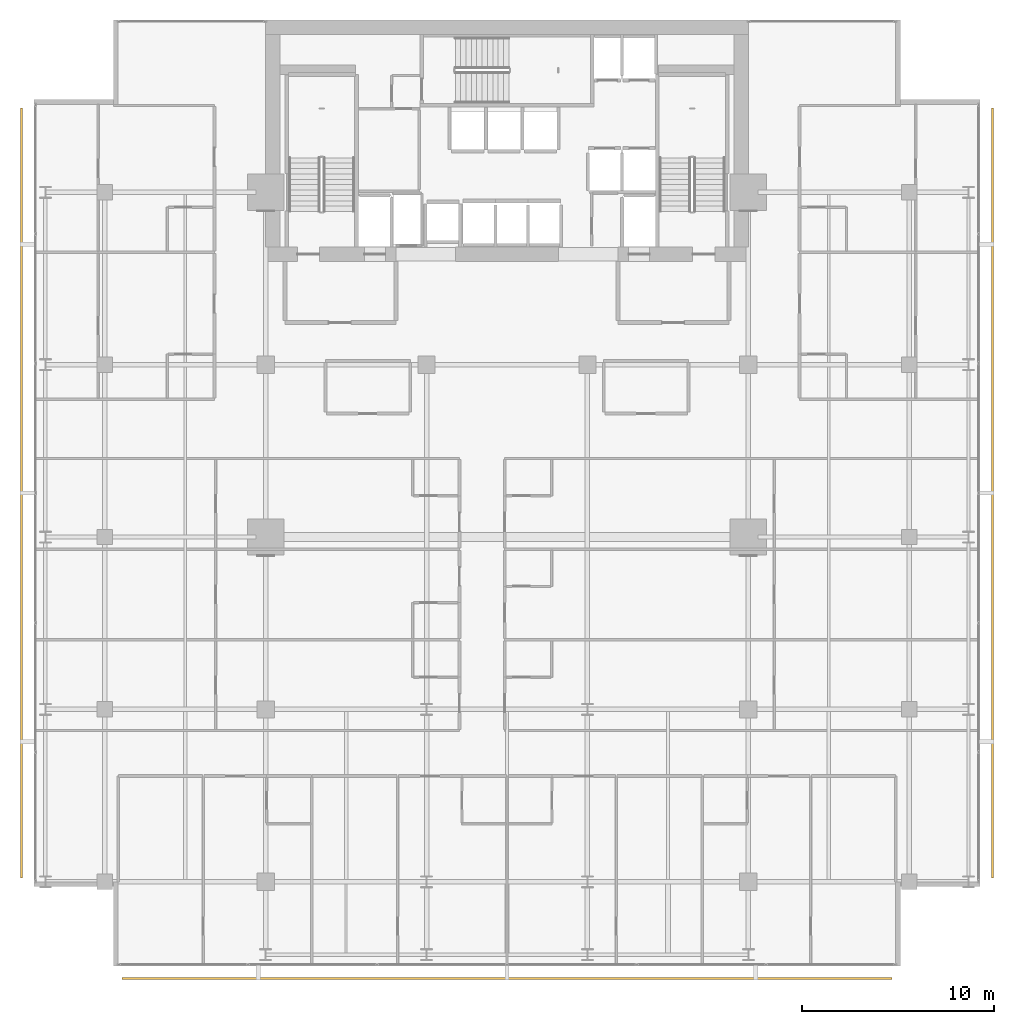
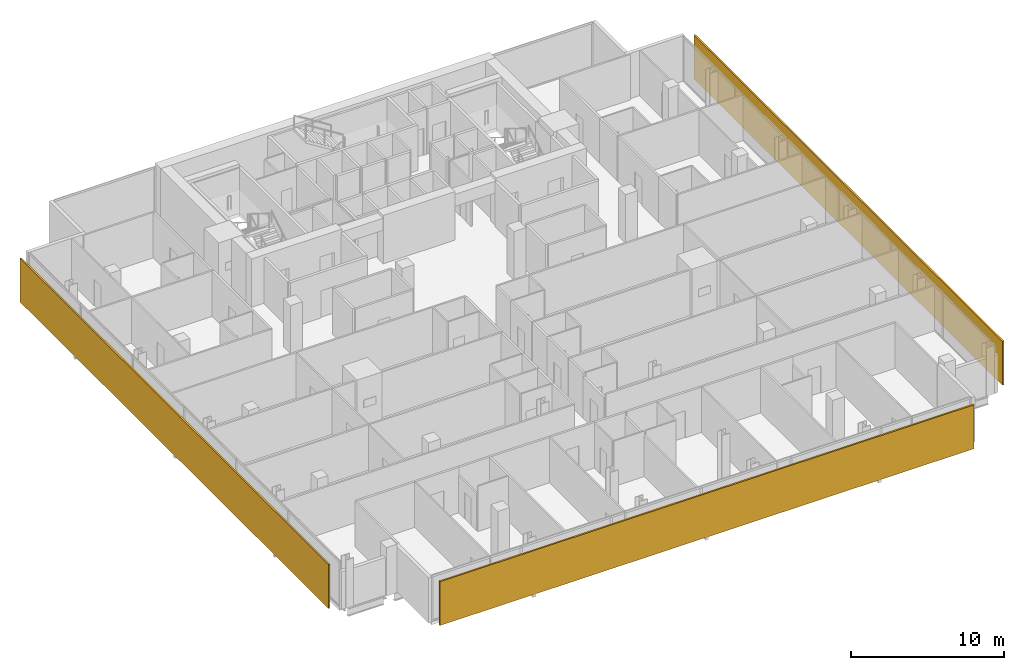
# One storey, part 32 of 33: 3 shading devices.
"""IFC4 building model written with IfcOpenShell, lengths in metres."""

from ifc_helpers import new_model, si_unit, direction, frame, origin, origin_2d, place, context, subcontext, project, spatial, rectangle, extrude, material, layer, layer_set, type_object, element, save


model = new_model("IFC4")

# Units and contexts
model_context = context("Model", 3, precision=1e-05, world=origin(), true_north=direction((0.0, 1.0)))
body_context = subcontext(model_context, "Body", "Model", "MODEL_VIEW")
ifc_project = project(units=[si_unit("LENGTHUNIT", "METRE"), si_unit("AREAUNIT", "SQUARE_METRE"), si_unit("VOLUMEUNIT", "CUBIC_METRE"), si_unit("PLANEANGLEUNIT", "RADIAN"), si_unit("MASSUNIT", "GRAM", prefix="KILO")], contexts=[model_context])

# Site, building, storey
site_placement = place(None, origin())
site = spatial("IfcSite", under=ifc_project, at=site_placement, CompositionType="ELEMENT")
building_placement = place(site_placement, origin())
building = spatial("IfcBuilding", under=site, at=building_placement, Name="Maruvema Waterfront Hotel and Observation Tower", CompositionType="ELEMENT")
storey_placement = place(building_placement, frame((0.0, 0.0, 142.800048828125)))
storey = spatial("IfcBuildingStorey", under=building, at=storey_placement, Name="L34", CompositionType="ELEMENT", Elevation=142.800048828125)

# Shading devices
ifc_material = material(Name="Honed travertine stone and anodised architectural bronze", Category="masonry")
ifc_layer = layer(ifc_material, 0.1201171875, Name="Ventilated Outer Skin Cobogo Stone-and-Bronze Screen 120 mm")
ifc_layer_set = layer_set([ifc_layer], Name="Honed travertine stone and anodised architectural bronze")
shading_device_type = type_object("IfcShadingDeviceType", Name="Ventilated Outer Skin Cobogo Stone-and-Bronze Screen 120 mm", PredefinedType="USERDEFINED", material=ifc_layer_set)
for number, where, z_axis, x_axis, name in (
    (1, (37.800048828125, 3.949951171875, 0.06005859375), (0.0, 0.0, 1.0), (1.0, 0.0, 0.0), "L34 Ventilated Double-Skin Outer Cobogo Screen OS-L34-S"),
    (2, (63.14990234375, 29.300048828125, 0.06005859375), (0.0, 0.0, 1.0), (0.0, 1.0, 0.0), "L34 Ventilated Double-Skin Outer Cobogo Screen OS-L34-E"),
    (3, (12.449951171875, 29.300048828125, 0.06005859375), (0.0, 0.0, 1.0), (0.0, -1.0, 0.0), "L34 Ventilated Double-Skin Outer Cobogo Screen OS-L34-W"),
):
    element("IfcShadingDevice", number, at=place(storey_placement, frame(where, z_axis=z_axis, x_axis=x_axis)), inside=storey, type_object=shading_device_type, Name=name, ObjectType="OUTER SKIN SCREEN", PredefinedType="USERDEFINED", context=body_context, shape_type="SweptSolid", body=[
        extrude(rectangle(XDim=40.199951171875, YDim=0.1201171875, at=origin_2d()), origin(), (0.0, 0.0, 1.0), 3.489990234375),
    ])

save(model, "model.ifc")
